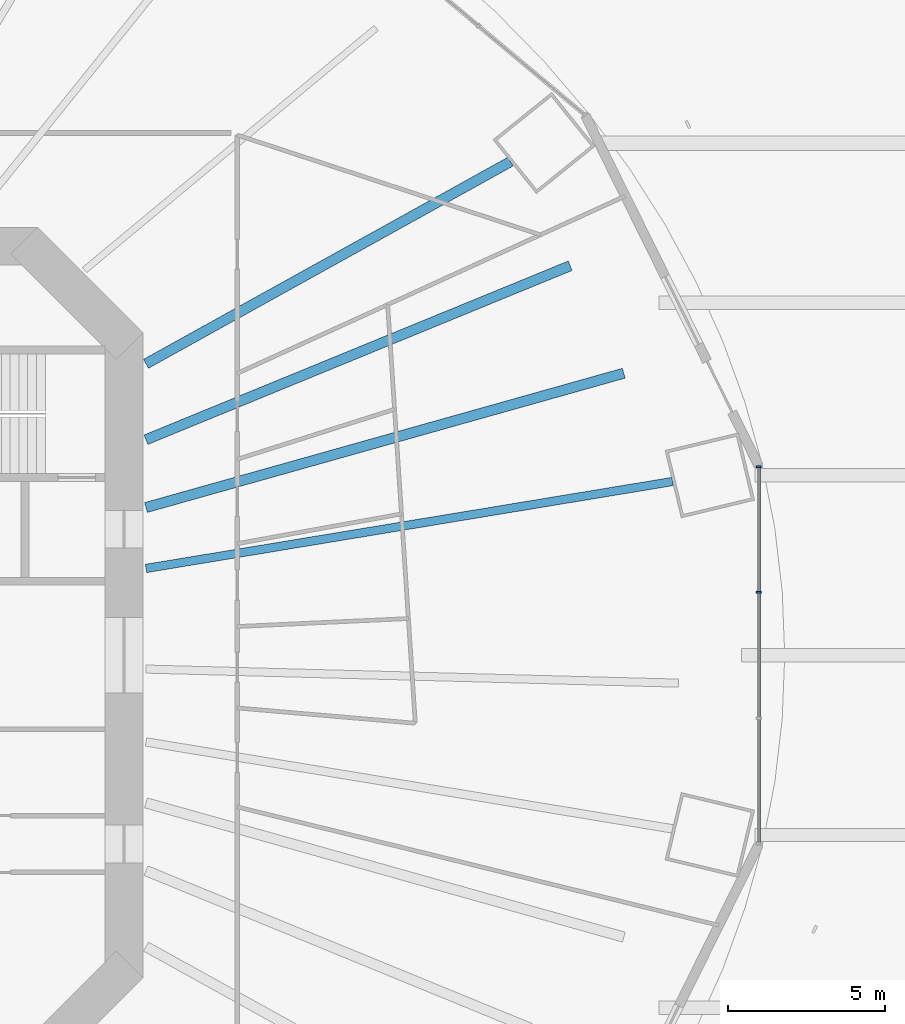
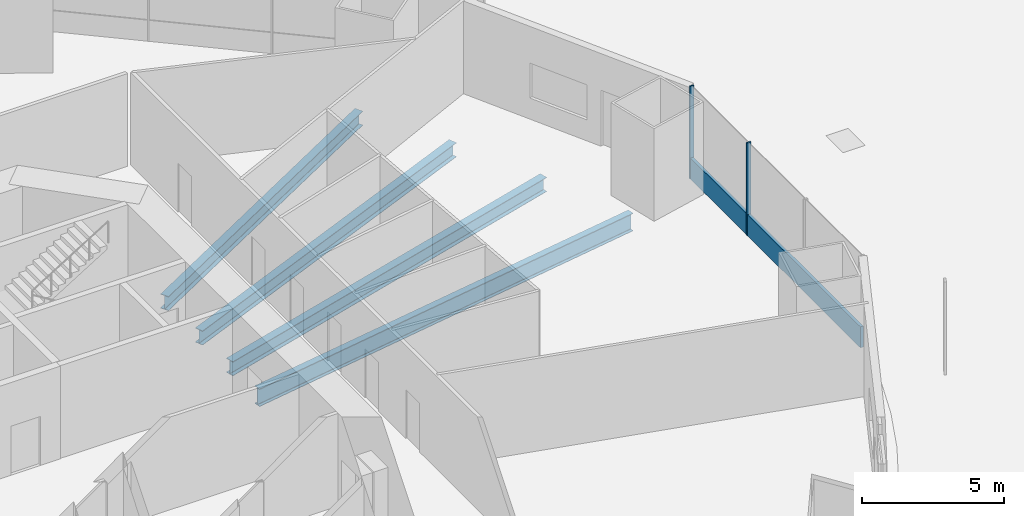
# One storey, part 14 of 27: 4 beams, 3 members, 1 element without a shape of its own.
"""IFC4 building model written with IfcOpenShell, lengths in metres."""

from ifc_helpers import new_model, si_unit, direction, frame, origin, origin_2d, place, context, subcontext, project, spatial, rectangle, i_section, extrude, material, material_profile, profile_set, type_object, element, aggregate, save


model = new_model("IFC4")

# Units and contexts
model_context = context("Model", 3, precision=1e-05, world=origin(), true_north=direction((0.0, 1.0)))
body_context = subcontext(model_context, "Body", "Model", "MODEL_VIEW")
ifc_project = project(units=[si_unit("LENGTHUNIT", "METRE"), si_unit("AREAUNIT", "SQUARE_METRE"), si_unit("VOLUMEUNIT", "CUBIC_METRE"), si_unit("PLANEANGLEUNIT", "RADIAN"), si_unit("MASSUNIT", "GRAM", prefix="KILO")], contexts=[model_context])

# Site, building, storey
site_placement = place(None, origin())
site = spatial("IfcSite", under=ifc_project, at=site_placement, CompositionType="ELEMENT")
building_placement = place(site_placement, origin())
building = spatial("IfcBuilding", under=site, at=building_placement, Name="Marenthal Gate Tower", CompositionType="ELEMENT")
storey_placement = place(building_placement, frame((0.0, 0.0, 33.0)))
storey = spatial("IfcBuildingStorey", under=building, at=storey_placement, Name="L04", CompositionType="ELEMENT", Elevation=33.0)

# Curtain wall, members
ifc_material_1 = material(Name="Aluminium and glass", Category="aluminium")
curtain_wall_type = type_object("IfcCurtainWallType", Name="Curtain wall typical low", PredefinedType="NOTDEFINED", material=ifc_material_1)
curtain_wall_placement = place(storey_placement, origin())
curtain_wall = element("IfcCurtainWall", 1, at=curtain_wall_placement, inside=storey, type_object=curtain_wall_type, Name="Curtain wall L04 bay 16", PredefinedType="NOTDEFINED")
ifc_material_2 = material(Name="Aluminium", Category="aluminium")
ifc_material_profile_1 = material_profile(ifc_material_2, rectangle(XDim=0.159912109375, YDim=0.06005859375, at=origin_2d()), Name="60x160 aluminium mullion")
ifc_profile_set_1 = profile_set([ifc_material_profile_1], Name="Aluminium")
member_type_1 = type_object("IfcMemberType", Name="Mullion 60x160 typical low", PredefinedType="MULLION", material=ifc_profile_set_1)
member_1_placement = place(storey_placement, frame((36.17138671875, 1.998046875, 0.0), z_axis=(0.0, 0.0, 1.0), x_axis=(-1.0, 0.0, 0.0)))
member_1 = element("IfcMember", 2, at=member_1_placement, type_object=member_type_1, Name="Mullion L04 bay 16.3", PredefinedType="MULLION", context=body_context, shape_type="SweptSolid", body=[
    extrude(rectangle(XDim=0.159912109375, YDim=0.06005859375, at=origin_2d()), origin(), (0.0, 0.0, 1.0), 3.969970703125),
])
member_2_placement = place(storey_placement, frame((36.17138671875, 5.994384765625, 0.0), z_axis=(0.0, 0.0, 1.0), x_axis=(-1.0, 0.0, 0.0)))
member_2 = element("IfcMember", 3, at=member_2_placement, type_object=member_type_1, Name="Mullion L04 bay 16.4", PredefinedType="MULLION", context=body_context, shape_type="SweptSolid", body=[
    extrude(rectangle(XDim=0.159912109375, YDim=0.06005859375, at=origin_2d()), origin(), (0.0, 0.0, 1.0), 3.969970703125),
])
ifc_material_3 = material(Name="Aluminium", Category="aluminium")
ifc_material_profile_2 = material_profile(ifc_material_3, rectangle(XDim=0.1201171875, YDim=0.89990234375, at=origin_2d()), Name="120x900 aluminium transom")
ifc_profile_set_2 = profile_set([ifc_material_profile_2], Name="Aluminium")
member_type_2 = type_object("IfcMemberType", Name="Transom 120x900 typical low", PredefinedType="USERDEFINED", material=ifc_profile_set_2)
member_3_placement = place(storey_placement, frame((36.17138671875, -5.96435546875, 0.449951171875), z_axis=(0.0, 1.0, 0.0), x_axis=(-1.0, 0.0, 0.0)))
member_3 = element("IfcMember", 4, at=member_3_placement, type_object=member_type_2, Name="Transom L04 bay 16", ObjectType="TRANSOM", PredefinedType="USERDEFINED", context=body_context, shape_type="SweptSolid", body=[
    extrude(rectangle(XDim=0.1201171875, YDim=0.89990234375, at=origin_2d()), origin(), (0.0, 0.0, 1.0), 11.9287109375),
])
aggregate(curtain_wall, [member_1, member_2, member_3])

# Beams
ifc_material_4 = material(Name="Steel S355", Category="steel")
ifc_material_profile_3 = material_profile(ifc_material_4, i_section(OverallWidth=0.324951171875, OverallDepth=0.612060546875, WebThickness=0.0126953125, FlangeThickness=0.01904296875, FilletRadius=0.0126953125, at=origin_2d()), Name="W610X155")
ifc_profile_set_3 = profile_set([ifc_material_profile_3], Name="Steel S355")
beam_type_1 = type_object("IfcBeamType", Name="W610X155 beam", PredefinedType="BEAM", material=ifc_profile_set_3)
beam_1_placement = place(storey_placement, frame((28.285888671875, 15.6875, -0.486083984375), z_axis=(-0.874512560522, -0.485002867506, 0.0), x_axis=(0.485002867506, -0.874512560522, 0.0)))
element("IfcBeam", 5, at=beam_1_placement, inside=storey, type_object=beam_type_1, Name="BM-L04-02", PredefinedType="BEAM", context=body_context, shape_type="SweptSolid", body=[
    extrude(i_section(OverallWidth=0.324951171875, OverallDepth=0.612060546875, WebThickness=0.0126953125, FlangeThickness=0.01904296875, FilletRadius=0.0126953125, at=origin_2d()), origin(), (0.0, 0.0, 1.0), 13.24853515625),
])
beam_2_placement = place(storey_placement, frame((31.884521484375, 8.961181640625, -0.486083984375), z_axis=(-0.962701855146, -0.27056448048, 0.0), x_axis=(0.27056448048, -0.962701855146, 0.0)))
element("IfcBeam", 6, at=beam_2_placement, inside=storey, type_object=beam_type_1, Name="BM-L04-17", PredefinedType="BEAM", context=body_context, shape_type="SweptSolid", body=[
    extrude(i_section(OverallWidth=0.324951171875, OverallDepth=0.612060546875, WebThickness=0.0126953125, FlangeThickness=0.01904296875, FilletRadius=0.0126953125, at=origin_2d()), origin(), (0.0, 0.0, 1.0), 15.77294921875),
])
beam_3_placement = place(storey_placement, frame((30.18017578125, 12.376953125, -0.486083984375), z_axis=(-0.925223376973, -0.379422854746, 0.0), x_axis=(0.379422854746, -0.925223376973, 0.0)))
element("IfcBeam", 7, at=beam_3_placement, inside=storey, type_object=beam_type_1, Name="BM-L04-18", PredefinedType="BEAM", context=body_context, shape_type="SweptSolid", body=[
    extrude(i_section(OverallWidth=0.324951171875, OverallDepth=0.612060546875, WebThickness=0.0126953125, FlangeThickness=0.01904296875, FilletRadius=0.0126953125, at=origin_2d()), origin(), (0.0, 0.0, 1.0), 14.569580078125),
])
ifc_material_5 = material(Name="Steel S355", Category="steel")
ifc_material_profile_4 = material_profile(ifc_material_5, i_section(OverallWidth=0.26708984375, OverallDepth=0.761962890625, WebThickness=0.014404296875, FlangeThickness=0.021484375, FilletRadius=0.0166015625, at=origin_2d()), Name="W760X173")
ifc_profile_set_4 = profile_set([ifc_material_profile_4], Name="Steel S355")
beam_type_2 = type_object("IfcBeamType", Name="W760X173 beam", PredefinedType="BEAM", material=ifc_profile_set_4)
beam_4_placement = place(storey_placement, frame((33.434814453125, 5.52001953125, -0.56103515625), z_axis=(-0.986643309881, -0.162895607883, 0.0), x_axis=(0.162895607883, -0.986643309881, 0.0)))
element("IfcBeam", 8, at=beam_4_placement, inside=storey, type_object=beam_type_2, Name="BM-L04-01", PredefinedType="BEAM", context=body_context, shape_type="SweptSolid", body=[
    extrude(i_section(OverallWidth=0.26708984375, OverallDepth=0.761962890625, WebThickness=0.014404296875, FlangeThickness=0.021484375, FilletRadius=0.0166015625, at=origin_2d()), origin(), (0.0, 0.0, 1.0), 16.96142578125),
])

save(model, "model.ifc")
